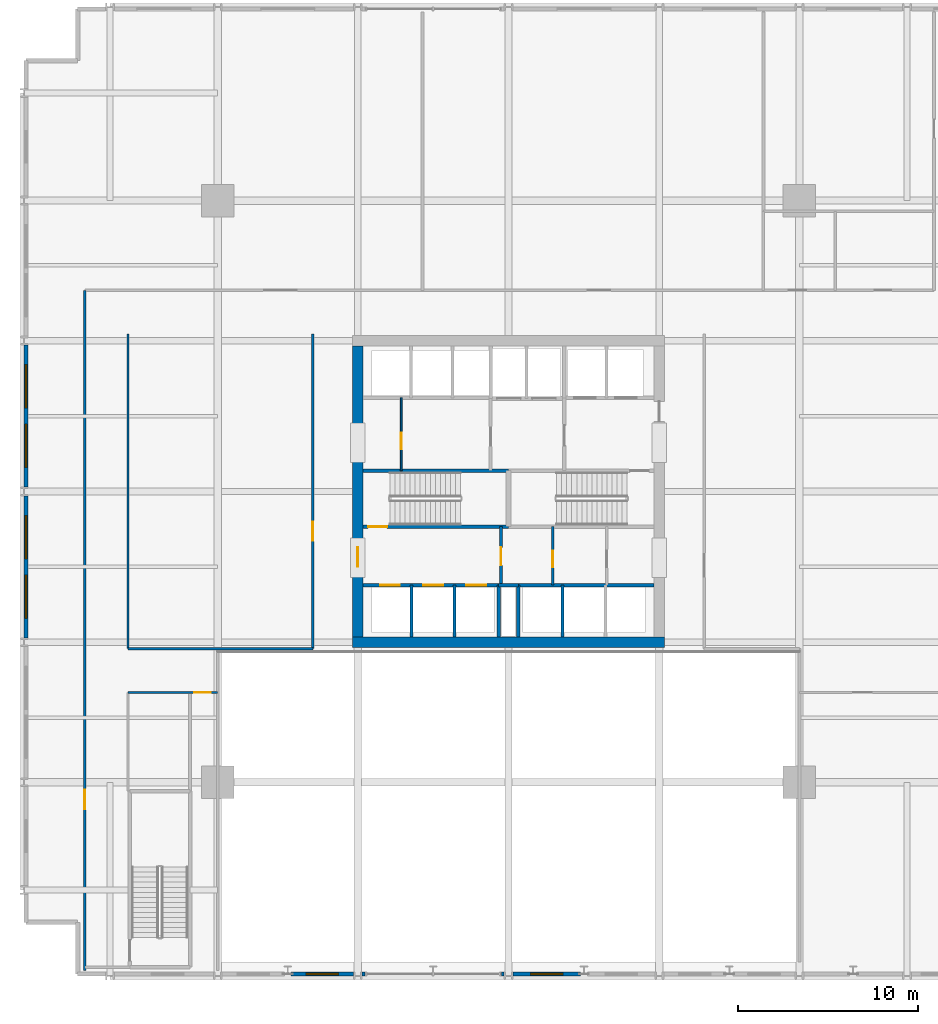
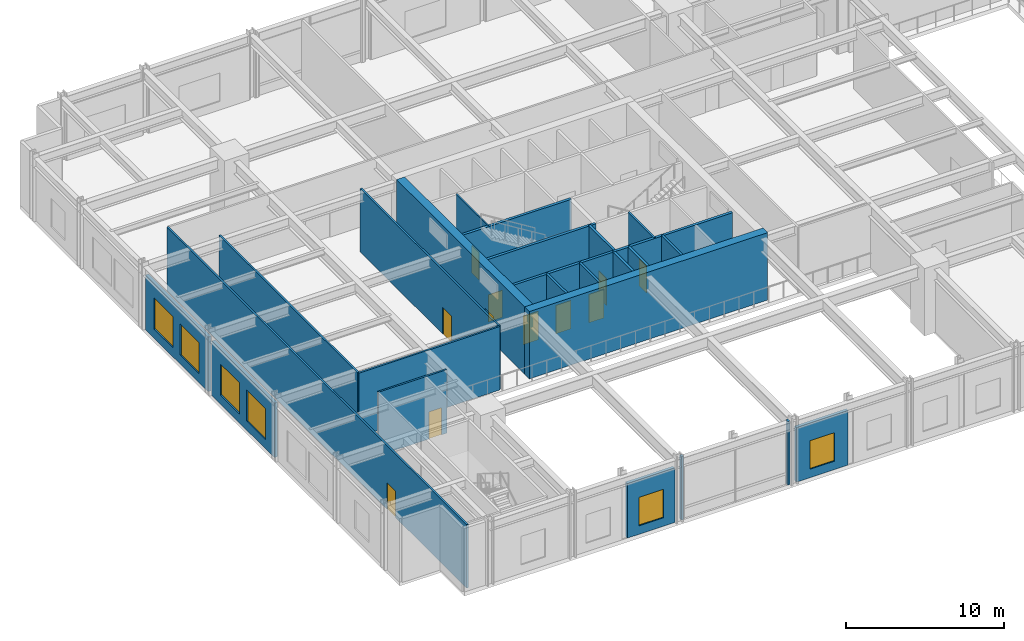
# One storey, part 11 of 19: 26 walls, 11 doors, 6 windows, 17 openings.
"""IFC4 building model written with IfcOpenShell, lengths in metres."""

import ifcopenshell
import ifcopenshell.guid

model = None  # the IFC model being written
_history = None  # IfcOwnerHistory: only IFC2X3 demands one
_inside = {}  # id of a spatial element -> (the spatial element, [elements in it])
_under = {}  # id of a project, library or spatial element -> (it, [spatial elements below it])
_declared = {}  # id of a project -> (the project, [libraries it declares])
_typed = {}  # id of a type object -> (the type object, [elements of that type])
_made_of = {}  # id of a material, layer set ... -> (it, [elements and type objects made of it])


def new_model(schema):
    """Start an empty IFC model of exactly this schema.

    Asked for "IFC4X3", IfcOpenShell would pick the latest addendum, in which some entities
    have other attributes; the version numbers below select the first issue.
    IFC2X3 requires an IfcOwnerHistory on every rooted entity: one is made here for all.
    """
    global model, _history
    if schema == "IFC4X3":
        model = ifcopenshell.file(schema_version=(4, 3, 0, 0))
    else:
        model = ifcopenshell.file(schema=schema)
    _inside.clear()
    _under.clear()
    _declared.clear()
    _typed.clear()
    _made_of.clear()
    _history = None
    if model.schema == "IFC2X3":
        org = make("IfcOrganization", Name="unknown")
        user = make(
            "IfcPersonAndOrganization",
            ThePerson=make("IfcPerson", FamilyName="unknown"),
            TheOrganization=org,
        )
        app = make(
            "IfcApplication",
            ApplicationDeveloper=org,
            Version="unknown",
            ApplicationFullName="unknown",
            ApplicationIdentifier="unknown",
        )
        _history = make(
            "IfcOwnerHistory",
            OwningUser=user,
            OwningApplication=app,
            ChangeAction="ADDED",
            CreationDate=0,
        )
    return model


def make(cls, **values):
    """One entity of the class cls with the attributes given. An attribute that is None is left unset."""
    return model.create_entity(
        cls, **{name: value for name, value in values.items() if value is not None}
    )


def rooted(cls, **values):
    """An entity with a GlobalId (a new one), such as an element, a storey or a relation."""
    return make(cls, GlobalId=ifcopenshell.guid.new(), OwnerHistory=_history, **values)


def si_unit(unit_type, name, prefix=None):
    """IfcSIUnit, for example si_unit("LENGTHUNIT", "METRE", prefix="MILLI")."""
    return make("IfcSIUnit", UnitType=unit_type, Prefix=prefix, Name=name)


def assignment(units):
    """IfcUnitAssignment: the units of a project."""
    return None if units is None else make("IfcUnitAssignment", Units=units)


def point(xyz):
    """IfcCartesianPoint."""
    return None if xyz is None else make("IfcCartesianPoint", Coordinates=xyz)


def direction(xyz):
    """IfcDirection."""
    return None if xyz is None else make("IfcDirection", DirectionRatios=xyz)


def frame(location, z_axis=None, x_axis=None):
    """IfcAxis2Placement3D, a coordinate frame: its origin and axes. An axis left out is left unset."""
    return make(
        "IfcAxis2Placement3D",
        Location=point(location),
        Axis=direction(z_axis),
        RefDirection=direction(x_axis),
    )


def frame_2d(location, x_axis=None):
    """IfcAxis2Placement2D, a coordinate frame in the plane: its origin and x axis."""
    return make(
        "IfcAxis2Placement2D", Location=point(location), RefDirection=direction(x_axis)
    )


def origin():
    """The frame at (0, 0, 0) with its axes left unset."""
    return frame((0.0, 0.0, 0.0))


def place(relative_to, where):
    """IfcLocalPlacement: puts the frame where relative to a parent placement (None: the world)."""
    return make(
        "IfcLocalPlacement", PlacementRelTo=relative_to, RelativePlacement=where
    )


def context(
    kind, dimensions, precision=None, world=None, true_north=None, identifier=None
):
    """IfcGeometricRepresentationContext, for example the 3D "Model" context."""
    return make(
        "IfcGeometricRepresentationContext",
        ContextIdentifier=identifier,
        ContextType=kind,
        CoordinateSpaceDimension=dimensions,
        Precision=precision,
        WorldCoordinateSystem=world,
        TrueNorth=true_north,
    )


def subcontext(parent, identifier, kind, view, scale=None):
    """IfcGeometricRepresentationSubContext, for example "Body" below "Model"."""
    return make(
        "IfcGeometricRepresentationSubContext",
        ContextIdentifier=identifier,
        ContextType=kind,
        ParentContext=parent,
        TargetScale=scale,
        TargetView=view,
    )


def project(units=None, contexts=None):
    """IfcProject with its units and contexts."""
    return rooted(
        "IfcProject",
        Name="project",
        RepresentationContexts=contexts,
        UnitsInContext=assignment(units),
    )


def spatial(cls, under=None, at=None, **own):
    """A site, building, storey or space (cls), placed at a placement, below another one or the project."""
    s = rooted(cls, ObjectPlacement=at, **own)
    if under is not None:
        _under.setdefault(under.id(), (under, []))[1].append(s)
    return s


def profile(cls, at=None, kind="AREA", **sizes):
    """A parametric profile (cls). Its sizes go by their IFC names, for example OverallWidth=200.0."""
    return make(cls, ProfileType=kind, Position=at, **sizes)


def rectangle(**sizes):
    """IfcRectangleProfileDef."""
    return profile("IfcRectangleProfileDef", **sizes)


def extrude(swept, where, along, depth):
    """IfcExtrudedAreaSolid: the profile swept, set in the frame where, extruded along a direction by depth."""
    return make(
        "IfcExtrudedAreaSolid",
        SweptArea=swept,
        Position=where,
        ExtrudedDirection=direction(along),
        Depth=depth,
    )


def shape(context_of_items, identifier, shape_type, items):
    """IfcShapeRepresentation: the items that make up one representation, for example the "Body"."""
    return make(
        "IfcShapeRepresentation",
        ContextOfItems=context_of_items,
        RepresentationIdentifier=identifier,
        RepresentationType=shape_type,
        Items=items,
    )


def material(Name=None, Category=None):
    """IfcMaterial."""
    return make("IfcMaterial", Name=Name, Category=Category)


def layer(
    of_material, thickness, ventilated=None, Name=None, Category=None, Priority=None
):
    """IfcMaterialLayer: one layer of a wall or slab, of a material (None: an air gap)."""
    return make(
        "IfcMaterialLayer",
        Material=of_material,
        LayerThickness=thickness,
        IsVentilated=ventilated,
        Name=Name,
        Category=Category,
        Priority=Priority,
    )


def layer_set(layers, Name=None):
    """IfcMaterialLayerSet."""
    return make("IfcMaterialLayerSet", MaterialLayers=layers, LayerSetName=Name)


def made_of(thing, what):
    """Note that an element or type object is made of a material, layer set ...; save() writes the relation."""
    if what is not None:
        _made_of.setdefault(what.id(), (what, []))[1].append(thing)
    return thing


def type_object(cls, material=None, **own):
    """A type object (cls), such as IfcWallType, which elements share."""
    return made_of(rooted(cls, **own), material)


def element(
    cls,
    number,
    at=None,
    inside=None,
    cuts=None,
    type_object=None,
    material=None,
    context=None,
    identifier="Body",
    shape_type=None,
    held_by="IfcProductDefinitionShape",
    body=None,
    shapes=None,
    **own,
):
    """One element of the class cls, such as IfcWall. Its Tag is "e" and its number.

    at: its placement. inside: the storey or other place that contains it. cuts: it is an
    opening in that element (IfcRelVoidsElement). A single representation is given by context,
    identifier, shape_type and body (its items); several are given by shapes. held_by: the class
    of the entity that holds the representations. save() writes the other relations.
    """
    e = rooted(cls, Tag="e%d" % number, ObjectPlacement=at, **own)
    if body is not None:
        shapes = [shape(context, identifier, shape_type, body)]
    if shapes is not None:
        e.Representation = make(held_by, Representations=shapes)
    if inside is not None:
        _inside.setdefault(inside.id(), (inside, []))[1].append(e)
    if cuts is not None:
        rooted(
            "IfcRelVoidsElement", RelatingBuildingElement=cuts, RelatedOpeningElement=e
        )
    if type_object is not None:
        _typed.setdefault(type_object.id(), (type_object, []))[1].append(e)
    return made_of(e, material)


def fill(opening, filler):
    """IfcRelFillsElement: the door or window that sits in an opening."""
    return rooted(
        "IfcRelFillsElement",
        RelatingOpeningElement=opening,
        RelatedBuildingElement=filler,
    )


def aggregate(whole, parts):
    """IfcRelAggregates: a whole, such as a stair, and the parts it consists of."""
    return rooted("IfcRelAggregates", RelatingObject=whole, RelatedObjects=parts)


def save(model, path):
    """Write the relations noted so far, then the file.

    IfcRelAggregates (storeys below a building ...), IfcRelContainedInSpatialStructure (elements
    in a storey), IfcRelDefinesByType, IfcRelAssociatesMaterial and IfcRelDeclares: one each for
    every whole, place, type object, material and project.
    """
    for whole, parts in _under.values():
        aggregate(whole, parts)
    for where, things in _inside.values():
        rooted(
            "IfcRelContainedInSpatialStructure",
            RelatedElements=things,
            RelatingStructure=where,
        )
    for kind, things in _typed.values():
        rooted("IfcRelDefinesByType", RelatedObjects=things, RelatingType=kind)
    for what, things in _made_of.values():
        rooted("IfcRelAssociatesMaterial", RelatedObjects=things, RelatingMaterial=what)
    for by, libraries in _declared.values():
        rooted("IfcRelDeclares", RelatingContext=by, RelatedDefinitions=libraries)
    model.write(path)


model = new_model("IFC4")

# Units and contexts
model_context = context("Model", 3, precision=1e-05, world=origin(), true_north=direction((0.0, 1.0)))
body_context = subcontext(model_context, "Body", "Model", "MODEL_VIEW")
ifc_project = project(units=[si_unit("LENGTHUNIT", "METRE"), si_unit("AREAUNIT", "SQUARE_METRE"), si_unit("VOLUMEUNIT", "CUBIC_METRE"), si_unit("PLANEANGLEUNIT", "RADIAN"), si_unit("MASSUNIT", "GRAM", prefix="KILO")], contexts=[model_context])

# Site, building, storey
site_placement = place(None, origin())
site = spatial("IfcSite", under=ifc_project, at=site_placement, CompositionType="ELEMENT")
building_placement = place(site_placement, origin())
building = spatial("IfcBuilding", under=site, at=building_placement, Name="Drelvath Grand Hotel", CompositionType="ELEMENT")
storey_placement = place(building_placement, frame((0.0, 0.0, 17.199951171875)))
storey = spatial("IfcBuildingStorey", under=building, at=storey_placement, Name="L03", CompositionType="ELEMENT", Elevation=17.199951171875)

# Wall, opening, door
ifc_material_1 = material(Name="Gypsum Partition Board")
ifc_layer_1 = layer(ifc_material_1, 0.10009765625)
ifc_layer_set_1 = layer_set([ifc_layer_1], Name="Gypsum Partition Board")
wall_type_1 = type_object("IfcWallType", Name="Core Closet Partition 100", PredefinedType="PARTITIONING", material=ifc_layer_set_1)
wall_1_placement = place(storey_placement, frame((-5.97998046875, 28.159912109375, 0.0), z_axis=(0.0, 0.0, 1.0), x_axis=(0.0, 1.0, 0.0)))
wall_1 = element("IfcWall", 1, at=wall_1_placement, inside=storey, type_object=wall_type_1, Name="L03 Core Closet Divider 2", PredefinedType="PARTITIONING", context=body_context, shape_type="SweptSolid", body=[
    extrude(rectangle(XDim=4.06005859375, YDim=0.10009765625, at=frame_2d((2.030029296875, 0.0))), origin(), (0.0, 0.0, 1.0), 4.900146484375),
])
opening_1_placement = place(wall_1_placement, frame((1.199951171875, 0.0, 0.0)))
opening_1 = element("IfcOpeningElement", 2, at=opening_1_placement, cuts=wall_1, Name="Opening D-L03-010", PredefinedType="OPENING", context=body_context, shape_type="SweptSolid", body=[
    extrude(rectangle(XDim=0.919921875, YDim=2.10009765625, at=frame_2d((0.4599609375, 1.050048828125))), frame((0.0, 0.06005859375, 0.0), z_axis=(0.0, -1.0, 0.0), x_axis=(1.0, 0.0, 0.0)), (0.0, 0.0, 1.0), 0.1201171875),
])
ifc_material_2 = material(Name="Painted Steel S275", Category="steel")
door_type_1 = type_object("IfcDoorType", Name="Staff Utility Door 920x2100", OperationType="NOTDEFINED", PredefinedType="DOOR", material=ifc_material_2)
door_1_placement = place(opening_1_placement, origin())
door_1 = element("IfcDoor", 3, at=door_1_placement, inside=storey, type_object=door_type_1, Name="L03 Low-Voltage Closet Door", OperationType="SINGLE_SWING_RIGHT", OverallHeight=2.10009765625, OverallWidth=0.919921875, PredefinedType="DOOR", context=body_context, shape_type="SweptSolid", body=[
    extrude(rectangle(XDim=0.919921875, YDim=2.10009765625, at=frame_2d((0.4599609375, 1.050048828125))), frame((0.0, 0.02490234375, 0.0), z_axis=(0.0, -1.0, 0.0), x_axis=(1.0, 0.0, 0.0)), (0.0, 0.0, 1.0), 0.050048828125),
])
fill(opening_1, door_1)

# Wall, openings, doors
ifc_material_3 = material(Name="Concrete C40/50", Category="concrete")
ifc_layer_2 = layer(ifc_material_3, 0.199951171875)
ifc_layer_set_2 = layer_set([ifc_layer_2], Name="Concrete C40/50")
wall_type_2 = type_object("IfcWallType", Name="Core Hoistway Fire Wall 200", PredefinedType="SOLIDWALL", material=ifc_layer_set_2)
wall_2_placement = place(storey_placement, frame((-0.550048828125, 21.780029296875, 0.0), z_axis=(0.0, 0.0, 1.0), x_axis=(-1.0, 0.0, 0.0)))
wall_2 = element("IfcWall", 4, at=wall_2_placement, inside=storey, type_object=wall_type_2, Name="L03 Bank 1 Hoistway Wall", PredefinedType="SOLIDWALL", context=body_context, shape_type="SweptSolid", body=[
    extrude(rectangle(XDim=7.550048828125, YDim=0.199951171875, at=frame_2d((3.77490234375, 0.0))), origin(), (0.0, 0.0, 1.0), 4.900146484375),
])
opening_2_placement = place(wall_2_placement, frame((5.5, 0.0, 0.0)))
opening_2 = element("IfcOpeningElement", 5, at=opening_2_placement, cuts=wall_2, Name="Opening LD-PE-1", PredefinedType="OPENING", context=body_context, shape_type="SweptSolid", body=[
    extrude(rectangle(XDim=1.10009765625, YDim=2.199951171875, at=frame_2d((0.550048828125, 1.10009765625))), frame((0.0, 0.10986328125, 0.0), z_axis=(0.0, -1.0, 0.0), x_axis=(1.0, 0.0, 0.0)), (0.0, 0.0, 1.0), 0.219970703125),
])
opening_3_placement = place(wall_2_placement, frame((3.10009765625, 0.0, 0.0)))
opening_3 = element("IfcOpeningElement", 6, at=opening_3_placement, cuts=wall_2, Name="Opening LD-PE-2", PredefinedType="OPENING", context=body_context, shape_type="SweptSolid", body=[
    extrude(rectangle(XDim=1.10009765625, YDim=2.199951171875, at=frame_2d((0.550048828125, 1.10009765625))), frame((0.0, 0.10986328125, 0.0), z_axis=(0.0, -1.0, 0.0), x_axis=(1.0, 0.0, 0.0)), (0.0, 0.0, 1.0), 0.219970703125),
])
opening_4_placement = place(wall_2_placement, frame((0.699951171875, 0.0, 0.0)))
opening_4 = element("IfcOpeningElement", 7, at=opening_4_placement, cuts=wall_2, Name="Opening LD-PE-3", PredefinedType="OPENING", context=body_context, shape_type="SweptSolid", body=[
    extrude(rectangle(XDim=1.10009765625, YDim=2.199951171875, at=frame_2d((0.550048828125, 1.10009765625))), frame((0.0, 0.10986328125, 0.0), z_axis=(0.0, -1.0, 0.0), x_axis=(1.0, 0.0, 0.0)), (0.0, 0.0, 1.0), 0.219970703125),
])
ifc_material_4 = material(Name="Stainless Steel S355", Category="steel")
door_type_2 = type_object("IfcDoorType", Name="Passenger Lift Sliding Landing Door 1100x2200", OperationType="NOTDEFINED", PredefinedType="DOOR", material=ifc_material_4)
door_2_placement = place(opening_2_placement, origin())
door_2 = element("IfcDoor", 8, at=door_2_placement, inside=storey, type_object=door_type_2, Name="L03 Lift PE-1 Landing Door", OperationType="SLIDING_TO_LEFT", OverallHeight=2.199951171875, OverallWidth=1.10009765625, PredefinedType="DOOR", context=body_context, shape_type="SweptSolid", body=[
    extrude(rectangle(XDim=1.10009765625, YDim=2.199951171875, at=frame_2d((0.550048828125, 1.10009765625))), frame((0.0, 0.02490234375, 0.0), z_axis=(0.0, -1.0, 0.0), x_axis=(1.0, 0.0, 0.0)), (0.0, 0.0, 1.0), 0.050048828125),
])
fill(opening_2, door_2)
door_3_placement = place(opening_3_placement, origin())
door_3 = element("IfcDoor", 9, at=door_3_placement, inside=storey, type_object=door_type_2, Name="L03 Lift PE-2 Landing Door", OperationType="SLIDING_TO_LEFT", OverallHeight=2.199951171875, OverallWidth=1.10009765625, PredefinedType="DOOR", context=body_context, shape_type="SweptSolid", body=[
    extrude(rectangle(XDim=1.10009765625, YDim=2.199951171875, at=frame_2d((0.550048828125, 1.10009765625))), frame((0.0, 0.02490234375, 0.0), z_axis=(0.0, -1.0, 0.0), x_axis=(1.0, 0.0, 0.0)), (0.0, 0.0, 1.0), 0.050048828125),
])
fill(opening_3, door_3)
door_4_placement = place(opening_4_placement, origin())
door_4 = element("IfcDoor", 10, at=door_4_placement, inside=storey, type_object=door_type_2, Name="L03 Lift PE-3 Landing Door", OperationType="SLIDING_TO_LEFT", OverallHeight=2.199951171875, OverallWidth=1.10009765625, PredefinedType="DOOR", context=body_context, shape_type="SweptSolid", body=[
    extrude(rectangle(XDim=1.10009765625, YDim=2.199951171875, at=frame_2d((0.550048828125, 1.10009765625))), frame((0.0, 0.02490234375, 0.0), z_axis=(0.0, -1.0, 0.0), x_axis=(1.0, 0.0, 0.0)), (0.0, 0.0, 1.0), 0.050048828125),
])
fill(opening_4, door_4)

# Walls
wall_3_placement = place(storey_placement, frame((-0.550048828125, 18.89990234375, 0.0), z_axis=(0.0, 0.0, 1.0), x_axis=(0.0, 1.0, 0.0)))
element("IfcWall", 11, at=wall_3_placement, inside=storey, type_object=wall_type_2, Name="L03 Bank 1 East Wall", PredefinedType="SOLIDWALL", context=body_context, shape_type="SweptSolid", body=[
    extrude(rectangle(XDim=2.880126953125, YDim=0.199951171875, at=frame_2d((1.43994140625, 0.0))), origin(), (0.0, 0.0, 1.0), 4.900146484375),
])
wall_4_placement = place(storey_placement, frame((8.10009765625, 21.780029296875, 0.0), z_axis=(0.0, 0.0, 1.0), x_axis=(-1.0, 0.0, 0.0)))
element("IfcWall", 12, at=wall_4_placement, inside=storey, type_object=wall_type_2, Name="L03 Bank 2 Hoistway Wall", PredefinedType="SOLIDWALL", context=body_context, shape_type="SweptSolid", body=[
    extrude(rectangle(XDim=7.550048828125, YDim=0.199951171875, at=frame_2d((3.77490234375, 0.0))), origin(), (0.0, 0.0, 1.0), 4.900146484375),
])
wall_5_placement = place(storey_placement, frame((0.550048828125, 18.89990234375, 0.0), z_axis=(0.0, 0.0, 1.0), x_axis=(0.0, 1.0, 0.0)))
element("IfcWall", 13, at=wall_5_placement, inside=storey, type_object=wall_type_2, Name="L03 Bank 2 West Wall", PredefinedType="SOLIDWALL", context=body_context, shape_type="SweptSolid", body=[
    extrude(rectangle(XDim=2.880126953125, YDim=0.199951171875, at=frame_2d((1.43994140625, 0.0))), origin(), (0.0, 0.0, 1.0), 4.900146484375),
])
wall_6_placement = place(storey_placement, frame((-0.550048828125, 21.780029296875, 0.0), z_axis=(0.0, 0.0, 1.0), x_axis=(1.0, 0.0, 0.0)))
element("IfcWall", 14, at=wall_6_placement, inside=storey, type_object=wall_type_2, Name="L03 Core Riser Wall", PredefinedType="SOLIDWALL", context=body_context, shape_type="SweptSolid", body=[
    extrude(rectangle(XDim=1.10009765625, YDim=0.199951171875, at=frame_2d((0.550048828125, 0.0))), origin(), (0.0, 0.0, 1.0), 4.900146484375),
])

# Wall, opening, door
ifc_layer_3 = layer(ifc_material_3, 0.199951171875)
ifc_layer_set_3 = layer_set([ifc_layer_3], Name="Concrete C40/50")
wall_type_3 = type_object("IfcWallType", Name="Core Shaft Fire Wall 200", PredefinedType="SOLIDWALL", material=ifc_layer_set_3)
wall_7_placement = place(storey_placement, frame((-8.10009765625, 25.0400390625, 0.0), z_axis=(0.0, 0.0, 1.0), x_axis=(1.0, 0.0, 0.0)))
wall_7 = element("IfcWall", 15, at=wall_7_placement, inside=storey, type_object=wall_type_3, Name="L03 Stair ST-1 South Wall", PredefinedType="SOLIDWALL", context=body_context, shape_type="SweptSolid", body=[
    extrude(rectangle(XDim=8.10009765625, YDim=0.199951171875, at=frame_2d((4.050048828125, 0.0))), origin(), (0.0, 0.0, 1.0), 4.900146484375),
])
opening_5_placement = place(wall_7_placement, frame((0.280029296875, 0.0, 0.0)))
opening_5 = element("IfcOpeningElement", 16, at=opening_5_placement, cuts=wall_7, Name="Opening D-L03-001", PredefinedType="OPENING", context=body_context, shape_type="SweptSolid", body=[
    extrude(rectangle(XDim=1.050048828125, YDim=2.10009765625, at=frame_2d((0.52490234375, 1.050048828125))), frame((0.0, 0.10986328125, 0.0), z_axis=(0.0, -1.0, 0.0), x_axis=(1.0, 0.0, 0.0)), (0.0, 0.0, 1.0), 0.219970703125),
])
door_type_3 = type_object("IfcDoorType", Name="Tower Stairwell Fire Door 1050x2100", OperationType="NOTDEFINED", PredefinedType="DOOR", material=ifc_material_2)
door_5_placement = place(opening_5_placement, origin())
door_5 = element("IfcDoor", 17, at=door_5_placement, inside=storey, type_object=door_type_3, Name="L03 Exit Stair ST-1 Door", OperationType="SINGLE_SWING_LEFT", OverallHeight=2.10009765625, OverallWidth=1.050048828125, PredefinedType="DOOR", context=body_context, shape_type="SweptSolid", body=[
    extrude(rectangle(XDim=1.050048828125, YDim=2.10009765625, at=frame_2d((0.52490234375, 1.050048828125))), frame((0.0, 0.02490234375, 0.0), z_axis=(0.0, -1.0, 0.0), x_axis=(1.0, 0.0, 0.0)), (0.0, 0.0, 1.0), 0.050048828125),
])
fill(opening_5, door_5)

# Walls
wall_8_placement = place(storey_placement, frame((-8.10009765625, 28.159912109375, 0.0), z_axis=(0.0, 0.0, 1.0), x_axis=(1.0, 0.0, 0.0)))
element("IfcWall", 18, at=wall_8_placement, inside=storey, type_object=wall_type_3, Name="L03 Stair ST-1 North Wall", PredefinedType="SOLIDWALL", context=body_context, shape_type="SweptSolid", body=[
    extrude(rectangle(XDim=8.10009765625, YDim=0.199951171875, at=frame_2d((4.050048828125, 0.0))), origin(), (0.0, 0.0, 1.0), 4.900146484375),
])
ifc_material_5 = material(Name="Gypsum Fireboard Partition")
ifc_layer_4 = layer(ifc_material_5, 0.1650390625)
ifc_layer_set_4 = layer_set([ifc_layer_4], Name="Gypsum Fireboard Partition")
wall_type_4 = type_object("IfcWallType", Name="Core Shaft Partition 165", PredefinedType="PARTITIONING", material=ifc_layer_set_4)
for number, where, z_axis, x_axis, name in (
    (19, (-5.39990234375, 18.89990234375, 0.0), (0.0, 0.0, 1.0), (0.0, 1.0, 0.0), "L03 Lift PE-1/2 Divider"),
    (20, (-3.0, 18.89990234375, 0.0), (0.0, 0.0, 1.0), (0.0, 1.0, 0.0), "L03 Lift PE-2/3 Divider"),
    (21, (3.0, 18.89990234375, 0.0), (0.0, 0.0, 1.0), (0.0, 1.0, 0.0), "L03 Lift PE-4/5 Divider"),
):
    element("IfcWall", number, at=place(storey_placement, frame(where, z_axis=z_axis, x_axis=x_axis)), inside=storey, type_object=wall_type_4, Name=name, PredefinedType="PARTITIONING", context=body_context, shape_type="SweptSolid", body=[
        extrude(rectangle(XDim=2.880126953125, YDim=0.1650390625, at=frame_2d((1.43994140625, 0.0))), origin(), (0.0, 0.0, 1.0), 4.900146484375),
    ])

# Wall, opening, door
ifc_layer_5 = layer(ifc_material_5, 0.135009765625)
ifc_layer_set_5 = layer_set([ifc_layer_5], Name="Gypsum Fireboard Partition")
wall_type_5 = type_object("IfcWallType", Name="Corridor Fire Barrier Wall 135", PredefinedType="PARTITIONING", material=ifc_layer_set_5)
wall_9_placement = place(storey_placement, frame((-21.199951171875, 15.800048828125, 0.0), z_axis=(0.0, 0.0, 1.0), x_axis=(1.0, 0.0, 0.0)))
wall_9 = element("IfcWall", 22, at=wall_9_placement, inside=storey, type_object=wall_type_5, Name="L03 South-West Gallery Stub Wall", PredefinedType="PARTITIONING", context=body_context, shape_type="SweptSolid", body=[
    extrude(rectangle(XDim=5.0, YDim=0.135009765625, at=frame_2d((2.5, 0.0))), origin(), (0.0, 0.0, 1.0), 4.900146484375),
])
opening_6_placement = place(wall_9_placement, frame((3.699951171875, 0.0, 0.0)))
opening_6 = element("IfcOpeningElement", 23, at=opening_6_placement, cuts=wall_9, Name="Opening D-L03-025", PredefinedType="OPENING", context=body_context, shape_type="SweptSolid", body=[
    extrude(rectangle(XDim=0.919921875, YDim=2.10009765625, at=frame_2d((0.4599609375, 1.050048828125))), frame((0.0, 0.077392578125, 0.0), z_axis=(0.0, -1.0, 0.0), x_axis=(1.0, 0.0, 0.0)), (0.0, 0.0, 1.0), 0.155029296875),
])
door_6_placement = place(opening_6_placement, origin())
door_6 = element("IfcDoor", 24, at=door_6_placement, inside=storey, type_object=door_type_1, Name="L03 Banquet Linen Closet Door", OperationType="SINGLE_SWING_RIGHT", OverallHeight=2.10009765625, OverallWidth=0.919921875, PredefinedType="DOOR", context=body_context, shape_type="SweptSolid", body=[
    extrude(rectangle(XDim=0.919921875, YDim=2.10009765625, at=frame_2d((0.4599609375, 1.050048828125))), frame((0.0, 0.02490234375, 0.0), z_axis=(0.0, -1.0, 0.0), x_axis=(1.0, 0.0, 0.0)), (0.0, 0.0, 1.0), 0.050048828125),
])
fill(opening_6, door_6)

# Wall
wall_10_placement = place(storey_placement, frame((-21.199951171875, 18.239990234375, 0.0), z_axis=(0.0, 0.0, 1.0), x_axis=(1.0, 0.0, 0.0)))
element("IfcWall", 25, at=wall_10_placement, inside=storey, type_object=wall_type_5, Name="L03 South-West Gallery North Wall", PredefinedType="PARTITIONING", context=body_context, shape_type="SweptSolid", body=[
    extrude(rectangle(XDim=10.300048828125, YDim=0.135009765625, at=frame_2d((5.14990234375, 0.0))), origin(), (0.0, 0.0, 1.0), 4.900146484375),
])

# Wall, opening, door
wall_11_placement = place(storey_placement, frame((-10.89990234375, 18.239990234375, 0.0), z_axis=(0.0, 0.0, 1.0), x_axis=(0.0, 1.0, 0.0)))
wall_11 = element("IfcWall", 26, at=wall_11_placement, inside=storey, type_object=wall_type_5, Name="L03 West Gallery Wall", PredefinedType="PARTITIONING", context=body_context, shape_type="SweptSolid", body=[
    extrude(rectangle(XDim=17.52001953125, YDim=0.135009765625, at=frame_2d((8.760009765625, 0.0))), origin(), (0.0, 0.0, 1.0), 4.900146484375),
])
opening_7_placement = place(wall_11_placement, frame((6.0, 0.0, 0.0)))
opening_7 = element("IfcOpeningElement", 27, at=opening_7_placement, cuts=wall_11, Name="Opening D-L03-030", PredefinedType="OPENING", context=body_context, shape_type="SweptSolid", body=[
    extrude(rectangle(XDim=1.080078125, YDim=2.0400390625, at=frame_2d((0.5400390625, 1.02001953125))), frame((0.0, 0.077392578125, 0.0), z_axis=(0.0, -1.0, 0.0), x_axis=(1.0, 0.0, 0.0)), (0.0, 0.0, 1.0), 0.155029296875),
])
door_type_4 = type_object("IfcDoorType", Name="Core Corridor Fire Door 1080x2100", OperationType="NOTDEFINED", PredefinedType="DOOR", material=ifc_material_2)
door_7_placement = place(opening_7_placement, origin())
door_7 = element("IfcDoor", 28, at=door_7_placement, inside=storey, type_object=door_type_4, Name="L03 Center-West Room Door", OperationType="SINGLE_SWING_RIGHT", OverallHeight=2.0400390625, OverallWidth=1.080078125, PredefinedType="DOOR", context=body_context, shape_type="SweptSolid", body=[
    extrude(rectangle(XDim=1.080078125, YDim=2.0400390625, at=frame_2d((0.5400390625, 1.02001953125))), frame((0.0, 0.02490234375, 0.0), z_axis=(0.0, -1.0, 0.0), x_axis=(1.0, 0.0, 0.0)), (0.0, 0.0, 1.0), 0.050048828125),
])
fill(opening_7, door_7)

# Wall
wall_12_placement = place(storey_placement, frame((-21.199951171875, 18.239990234375, 0.0), z_axis=(0.0, 0.0, 1.0), x_axis=(0.0, 1.0, 0.0)))
element("IfcWall", 29, at=wall_12_placement, inside=storey, type_object=wall_type_5, Name="L03 ST-3 Spur North-East Wall", PredefinedType="PARTITIONING", context=body_context, shape_type="SweptSolid", body=[
    extrude(rectangle(XDim=17.52001953125, YDim=0.135009765625, at=frame_2d((8.760009765625, 0.0))), origin(), (0.0, 0.0, 1.0), 4.900146484375),
])

# Wall, opening, door
wall_13_placement = place(storey_placement, frame((-23.60009765625, 0.300048828125, 0.0), z_axis=(0.0, 0.0, 1.0), x_axis=(0.0, 1.0, 0.0)))
wall_13 = element("IfcWall", 30, at=wall_13_placement, inside=storey, type_object=wall_type_5, Name="L03 West Wing Corridor Wall", PredefinedType="PARTITIONING", context=body_context, shape_type="SweptSolid", body=[
    extrude(rectangle(XDim=37.89990234375, YDim=0.135009765625, at=frame_2d((18.949951171875, 0.0))), origin(), (0.0, 0.0, 1.0), 4.900146484375),
])
opening_8_placement = place(wall_13_placement, frame((9.0, 0.0, 0.0)))
opening_8 = element("IfcOpeningElement", 31, at=opening_8_placement, cuts=wall_13, Name="Opening D-L03-029", PredefinedType="OPENING", context=body_context, shape_type="SweptSolid", body=[
    extrude(rectangle(XDim=1.080078125, YDim=2.0400390625, at=frame_2d((0.5400390625, 1.02001953125))), frame((0.0, 0.077392578125, 0.0), z_axis=(0.0, -1.0, 0.0), x_axis=(1.0, 0.0, 0.0)), (0.0, 0.0, 1.0), 0.155029296875),
])
door_8_placement = place(opening_8_placement, origin())
door_8 = element("IfcDoor", 32, at=door_8_placement, inside=storey, type_object=door_type_4, Name="L03 West Wing South Door", OperationType="SINGLE_SWING_LEFT", OverallHeight=2.0400390625, OverallWidth=1.080078125, PredefinedType="DOOR", context=body_context, shape_type="SweptSolid", body=[
    extrude(rectangle(XDim=1.080078125, YDim=2.0400390625, at=frame_2d((0.5400390625, 1.02001953125))), frame((0.0, 0.02490234375, 0.0), z_axis=(0.0, -1.0, 0.0), x_axis=(1.0, 0.0, 0.0)), (0.0, 0.0, 1.0), 0.050048828125),
])
fill(opening_8, door_8)

ifc_material_6 = material(Name="Moisture-Resistant Gypsum Board")
ifc_layer_6 = layer(ifc_material_6, 0.139892578125)
ifc_layer_set_6 = layer_set([ifc_layer_6], Name="Moisture-Resistant Gypsum Board")
wall_type_6 = type_object("IfcWallType", Name="En-Suite Plumbing Wall 140", PredefinedType="PLUMBINGWALL", material=ifc_layer_set_6)
wall_14_placement = place(storey_placement, frame((2.4599609375, 21.780029296875, 0.0), z_axis=(0.0, 0.0, 1.0), x_axis=(0.0, 1.0, 0.0)))
wall_14 = element("IfcWall", 33, at=wall_14_placement, inside=storey, type_object=wall_type_6, Name="L03 Staff WC West Wall", PredefinedType="PLUMBINGWALL", context=body_context, shape_type="SweptSolid", body=[
    extrude(rectangle(XDim=3.260009765625, YDim=0.139892578125, at=frame_2d((1.6298828125, 0.0))), origin(), (0.0, 0.0, 1.0), 4.900146484375),
])
opening_9_placement = place(wall_14_placement, frame((1.0, 0.0, 0.0)))
opening_9 = element("IfcOpeningElement", 34, at=opening_9_placement, cuts=wall_14, Name="Opening D-L03-016", PredefinedType="OPENING", context=body_context, shape_type="SweptSolid", body=[
    extrude(rectangle(XDim=0.919921875, YDim=2.10009765625, at=frame_2d((0.4599609375, 1.050048828125))), frame((0.0, 0.079833984375, 0.0), z_axis=(0.0, -1.0, 0.0), x_axis=(1.0, 0.0, 0.0)), (0.0, 0.0, 1.0), 0.159912109375),
])
door_9_placement = place(opening_9_placement, origin())
door_9 = element("IfcDoor", 35, at=door_9_placement, inside=storey, type_object=door_type_1, Name="L03 Staff WC Door", OperationType="SINGLE_SWING_LEFT", OverallHeight=2.10009765625, OverallWidth=0.919921875, PredefinedType="DOOR", context=body_context, shape_type="SweptSolid", body=[
    extrude(rectangle(XDim=0.919921875, YDim=2.10009765625, at=frame_2d((0.4599609375, 1.050048828125))), frame((0.0, 0.02490234375, 0.0), z_axis=(0.0, -1.0, 0.0), x_axis=(1.0, 0.0, 0.0)), (0.0, 0.0, 1.0), 0.050048828125),
])
fill(opening_9, door_9)

ifc_layer_7 = layer(ifc_material_5, 0.179931640625)
ifc_layer_set_7 = layer_set([ifc_layer_7], Name="Gypsum Fireboard Partition")
wall_type_7 = type_object("IfcWallType", Name="FSAE Smoke Lobby Fire Wall 180", PredefinedType="SOLIDWALL", material=ifc_layer_set_7)
wall_15_placement = place(storey_placement, frame((-0.419921875, 21.780029296875, 0.0), z_axis=(0.0, 0.0, 1.0), x_axis=(0.0, 1.0, 0.0)))
wall_15 = element("IfcWall", 36, at=wall_15_placement, inside=storey, type_object=wall_type_7, Name="L03 Low-Rise Lobby East Wall", PredefinedType="SOLIDWALL", context=body_context, shape_type="SweptSolid", body=[
    extrude(rectangle(XDim=3.260009765625, YDim=0.179931640625, at=frame_2d((1.6298828125, 0.0))), origin(), (0.0, 0.0, 1.0), 4.900146484375),
])
opening_10_placement = place(wall_15_placement, frame((1.10009765625, 0.0, 0.0)))
opening_10 = element("IfcOpeningElement", 37, at=opening_10_placement, cuts=wall_15, Name="Opening D-L03-014", PredefinedType="OPENING", context=body_context, shape_type="SweptSolid", body=[
    extrude(rectangle(XDim=1.0, YDim=2.10009765625, at=frame_2d((0.5, 1.050048828125))), frame((0.0, 0.099853515625, 0.0), z_axis=(0.0, -1.0, 0.0), x_axis=(1.0, 0.0, 0.0)), (0.0, 0.0, 1.0), 0.199951171875),
])
door_type_5 = type_object("IfcDoorType", Name="Core Service Fire Door 1000x2100", OperationType="NOTDEFINED", PredefinedType="DOOR", material=ifc_material_2)
door_10_placement = place(opening_10_placement, origin())
door_10 = element("IfcDoor", 38, at=door_10_placement, inside=storey, type_object=door_type_5, Name="L03 Housekeeping Entry Door", OperationType="SINGLE_SWING_LEFT", OverallHeight=2.10009765625, OverallWidth=1.0, PredefinedType="DOOR", context=body_context, shape_type="SweptSolid", body=[
    extrude(rectangle(XDim=1.0, YDim=2.10009765625, at=frame_2d((0.5, 1.050048828125))), frame((0.0, 0.02490234375, 0.0), z_axis=(0.0, -1.0, 0.0), x_axis=(1.0, 0.0, 0.0)), (0.0, 0.0, 1.0), 0.050048828125),
])
fill(opening_10, door_10)

# Wall
ifc_material_7 = material(Name="Concrete f'c 70 MPa", Category="concrete")
ifc_layer_8 = layer(ifc_material_7, 0.60009765625)
ifc_layer_set_8 = layer_set([ifc_layer_8], Name="Concrete f'c 70 MPa")
wall_type_8 = type_object("IfcWallType", Name="Lower Core RC Shear Wall 600", PredefinedType="SHEAR", material=ifc_layer_set_8)
wall_16_placement = place(storey_placement, frame((8.699951171875, 18.60009765625, 0.0), z_axis=(0.0, 0.0, 1.0), x_axis=(-1.0, 0.0, 0.0)))
element("IfcWall", 39, at=wall_16_placement, inside=storey, type_object=wall_type_8, Name="L03 Central Core Shear Wall S", PredefinedType="SHEAR", context=body_context, shape_type="SweptSolid", body=[
    extrude(rectangle(XDim=17.39990234375, YDim=0.60009765625, at=frame_2d((8.699951171875, 0.0))), origin(), (0.0, 0.0, 1.0), 5.199951171875),
])

# Wall, opening, door
wall_17_placement = place(storey_placement, frame((-8.39990234375, 18.89990234375, 0.0), z_axis=(0.0, 0.0, 1.0), x_axis=(0.0, 1.0, 0.0)))
wall_17 = element("IfcWall", 40, at=wall_17_placement, inside=storey, type_object=wall_type_8, Name="L03 Central Core Shear Wall W", PredefinedType="SHEAR", context=body_context, shape_type="SweptSolid", body=[
    extrude(rectangle(XDim=16.2001953125, YDim=0.60009765625, at=frame_2d((8.10009765625, 0.0))), origin(), (0.0, 0.0, 1.0), 5.199951171875),
])
opening_11_placement = place(wall_17_placement, frame((3.89990234375, 0.0, 0.0)))
opening_11 = element("IfcOpeningElement", 41, at=opening_11_placement, cuts=wall_17, Name="Opening D-L03-015", PredefinedType="OPENING", context=body_context, shape_type="SweptSolid", body=[
    extrude(rectangle(XDim=1.080078125, YDim=2.0400390625, at=frame_2d((0.5400390625, 1.02001953125))), frame((0.0, 0.31005859375, 0.0), z_axis=(0.0, -1.0, 0.0), x_axis=(1.0, 0.0, 0.0)), (0.0, 0.0, 1.0), 0.6201171875),
])
door_11_placement = place(opening_11_placement, origin())
door_11 = element("IfcDoor", 42, at=door_11_placement, inside=storey, type_object=door_type_4, Name="L03 Low-Rise Lobby West Door", OperationType="SINGLE_SWING_RIGHT", OverallHeight=2.0400390625, OverallWidth=1.080078125, PredefinedType="DOOR", context=body_context, shape_type="SweptSolid", body=[
    extrude(rectangle(XDim=1.080078125, YDim=2.0400390625, at=frame_2d((0.5400390625, 1.02001953125))), frame((0.0, 0.02490234375, 0.0), z_axis=(0.0, -1.0, 0.0), x_axis=(1.0, 0.0, 0.0)), (0.0, 0.0, 1.0), 0.050048828125),
])
fill(opening_11, door_11)

# Wall, openings, windows
ifc_material_8 = material(Name="Insulated Granite Rainscreen Assembly", Category="masonry")
ifc_layer_9 = layer(ifc_material_8, 0.239990234375)
ifc_layer_set_9 = layer_set([ifc_layer_9], Name="Insulated Granite Rainscreen Assembly")
wall_type_9 = type_object("IfcWallType", Name="Podium Granite Rainscreen Exterior Wall 240", PredefinedType="STANDARD", material=ifc_layer_set_9)
wall_18_placement = place(storey_placement, frame((-26.8798828125, 18.8408203125, 0.0), z_axis=(0.0, 0.0, 1.0), x_axis=(0.0, 1.0, 0.0)))
wall_18 = element("IfcWall", 43, at=wall_18_placement, inside=storey, type_object=wall_type_9, Name="L03 West Podium Granite Wall 4", PredefinedType="STANDARD", context=body_context, shape_type="SweptSolid", body=[
    extrude(rectangle(XDim=7.918212890625, YDim=0.239990234375, at=frame_2d((3.958984375, 0.0))), origin(), (0.0, 0.0, 1.0), 4.20458984375),
])
opening_12_placement = place(wall_18_placement, frame((1.10009765625, 0.0, 0.699951171875)))
opening_12 = element("IfcOpeningElement", 44, at=opening_12_placement, cuts=wall_18, Name="Opening W-01", PredefinedType="OPENING", context=body_context, shape_type="SweptSolid", body=[
    extrude(rectangle(XDim=2.39990234375, YDim=2.39990234375, at=frame_2d((1.199951171875, 1.199951171875))), frame((0.0, 0.1298828125, 0.0), z_axis=(0.0, -1.0, 0.0), x_axis=(1.0, 0.0, 0.0)), (0.0, 0.0, 1.0), 0.260009765625),
])
opening_13_placement = place(wall_18_placement, frame((4.418212890625, 0.0, 0.699951171875)))
opening_13 = element("IfcOpeningElement", 45, at=opening_13_placement, cuts=wall_18, Name="Opening W-01", PredefinedType="OPENING", context=body_context, shape_type="SweptSolid", body=[
    extrude(rectangle(XDim=2.39990234375, YDim=2.39990234375, at=frame_2d((1.199951171875, 1.199951171875))), frame((0.0, 0.1298828125, 0.0), z_axis=(0.0, -1.0, 0.0), x_axis=(1.0, 0.0, 0.0)), (0.0, 0.0, 1.0), 0.260009765625),
])
ifc_material_9 = material(Name="Bronze Anodised Low-E Triple Glazing", Category="glass")
window_type_1 = type_object("IfcWindowType", Name="Chicago Triple-Pane Podium Window 2400x2600", PartitioningType="TRIPLE_PANEL_VERTICAL", PredefinedType="WINDOW", material=ifc_material_9)
window_1_placement = place(opening_12_placement, origin())
window_1 = element("IfcWindow", 46, at=window_1_placement, inside=storey, type_object=window_type_1, Name="L03 West Podium Window 4-1", OverallHeight=2.39990234375, OverallWidth=2.39990234375, PartitioningType="SINGLE_PANEL", PredefinedType="WINDOW", context=body_context, shape_type="SweptSolid", body=[
    extrude(rectangle(XDim=2.39990234375, YDim=2.39990234375, at=frame_2d((1.199951171875, 1.199951171875))), frame((0.0, 0.030029296875, 0.0), z_axis=(0.0, -1.0, 0.0), x_axis=(1.0, 0.0, 0.0)), (0.0, 0.0, 1.0), 0.06005859375),
])
fill(opening_12, window_1)
window_2_placement = place(opening_13_placement, origin())
window_2 = element("IfcWindow", 47, at=window_2_placement, inside=storey, type_object=window_type_1, Name="L03 West Podium Window 4-2", OverallHeight=2.39990234375, OverallWidth=2.39990234375, PartitioningType="SINGLE_PANEL", PredefinedType="WINDOW", context=body_context, shape_type="SweptSolid", body=[
    extrude(rectangle(XDim=2.39990234375, YDim=2.39990234375, at=frame_2d((1.199951171875, 1.199951171875))), frame((0.0, 0.030029296875, 0.0), z_axis=(0.0, -1.0, 0.0), x_axis=(1.0, 0.0, 0.0)), (0.0, 0.0, 1.0), 0.06005859375),
])
fill(opening_13, window_2)

wall_19_placement = place(storey_placement, frame((-26.8798828125, 27.240966796875, 0.0), z_axis=(0.0, 0.0, 1.0), x_axis=(0.0, 1.0, 0.0)))
wall_19 = element("IfcWall", 48, at=wall_19_placement, inside=storey, type_object=wall_type_9, Name="L03 West Podium Granite Wall 5", PredefinedType="STANDARD", context=body_context, shape_type="SweptSolid", body=[
    extrude(rectangle(XDim=7.918212890625, YDim=0.239990234375, at=frame_2d((3.958984375, 0.0))), origin(), (0.0, 0.0, 1.0), 4.20458984375),
])
opening_14_placement = place(wall_19_placement, frame((1.10009765625, 0.0, 0.699951171875)))
opening_14 = element("IfcOpeningElement", 49, at=opening_14_placement, cuts=wall_19, Name="Opening W-01", PredefinedType="OPENING", context=body_context, shape_type="SweptSolid", body=[
    extrude(rectangle(XDim=2.39990234375, YDim=2.39990234375, at=frame_2d((1.199951171875, 1.199951171875))), frame((0.0, 0.1298828125, 0.0), z_axis=(0.0, -1.0, 0.0), x_axis=(1.0, 0.0, 0.0)), (0.0, 0.0, 1.0), 0.260009765625),
])
opening_15_placement = place(wall_19_placement, frame((4.418212890625, 0.0, 0.699951171875)))
opening_15 = element("IfcOpeningElement", 50, at=opening_15_placement, cuts=wall_19, Name="Opening W-01", PredefinedType="OPENING", context=body_context, shape_type="SweptSolid", body=[
    extrude(rectangle(XDim=2.39990234375, YDim=2.39990234375, at=frame_2d((1.199951171875, 1.199951171875))), frame((0.0, 0.1298828125, 0.0), z_axis=(0.0, -1.0, 0.0), x_axis=(1.0, 0.0, 0.0)), (0.0, 0.0, 1.0), 0.260009765625),
])
window_3_placement = place(opening_14_placement, origin())
window_3 = element("IfcWindow", 51, at=window_3_placement, inside=storey, type_object=window_type_1, Name="L03 West Podium Window 5-1", OverallHeight=2.39990234375, OverallWidth=2.39990234375, PartitioningType="SINGLE_PANEL", PredefinedType="WINDOW", context=body_context, shape_type="SweptSolid", body=[
    extrude(rectangle(XDim=2.39990234375, YDim=2.39990234375, at=frame_2d((1.199951171875, 1.199951171875))), frame((0.0, 0.030029296875, 0.0), z_axis=(0.0, -1.0, 0.0), x_axis=(1.0, 0.0, 0.0)), (0.0, 0.0, 1.0), 0.06005859375),
])
fill(opening_14, window_3)
window_4_placement = place(opening_15_placement, origin())
window_4 = element("IfcWindow", 52, at=window_4_placement, inside=storey, type_object=window_type_1, Name="L03 West Podium Window 5-2", OverallHeight=2.39990234375, OverallWidth=2.39990234375, PartitioningType="SINGLE_PANEL", PredefinedType="WINDOW", context=body_context, shape_type="SweptSolid", body=[
    extrude(rectangle(XDim=2.39990234375, YDim=2.39990234375, at=frame_2d((1.199951171875, 1.199951171875))), frame((0.0, 0.030029296875, 0.0), z_axis=(0.0, -1.0, 0.0), x_axis=(1.0, 0.0, 0.0)), (0.0, 0.0, 1.0), 0.06005859375),
])
fill(opening_15, window_4)

# Wall, opening, window
wall_20_placement = place(storey_placement, frame((-8.640869140625, 0.1201171875, 0.0), z_axis=(0.0, 0.0, 1.0), x_axis=(-1.0, 0.0, 0.0)))
wall_20 = element("IfcWall", 53, at=wall_20_placement, inside=storey, type_object=wall_type_9, Name="L03 South Podium Granite Wall 4", PredefinedType="STANDARD", context=body_context, shape_type="SweptSolid", body=[
    extrude(rectangle(XDim=3.466552734375, YDim=0.239990234375, at=frame_2d((1.7333984375, 0.0))), origin(), (0.0, 0.0, 1.0), 4.20458984375),
])
opening_16_placement = place(wall_20_placement, frame((0.833251953125, 0.0, 0.64990234375)))
opening_16 = element("IfcOpeningElement", 54, at=opening_16_placement, cuts=wall_20, Name="Opening W-02", PredefinedType="OPENING", context=body_context, shape_type="SweptSolid", body=[
    extrude(rectangle(XDim=1.800048828125, YDim=2.199951171875, at=frame_2d((0.89990234375, 1.10009765625))), frame((0.0, 0.1298828125, 0.0), z_axis=(0.0, -1.0, 0.0), x_axis=(1.0, 0.0, 0.0)), (0.0, 0.0, 1.0), 0.260009765625),
])
window_type_2 = type_object("IfcWindowType", Name="Chicago Double-Pane Podium Window 1800x2400", PartitioningType="DOUBLE_PANEL_VERTICAL", PredefinedType="WINDOW", material=ifc_material_9)
window_5_placement = place(opening_16_placement, origin())
window_5 = element("IfcWindow", 55, at=window_5_placement, inside=storey, type_object=window_type_2, Name="L03 South Chicago Window 4", OverallHeight=2.199951171875, OverallWidth=1.800048828125, PartitioningType="SINGLE_PANEL", PredefinedType="WINDOW", context=body_context, shape_type="SweptSolid", body=[
    extrude(rectangle(XDim=1.800048828125, YDim=2.199951171875, at=frame_2d((0.89990234375, 1.10009765625))), frame((0.0, 0.030029296875, 0.0), z_axis=(0.0, -1.0, 0.0), x_axis=(1.0, 0.0, 0.0)), (0.0, 0.0, 1.0), 0.06005859375),
])
fill(opening_16, window_5)

# Walls
wall_21_placement = place(storey_placement, frame((-8.0, 0.1201171875, 0.0), z_axis=(0.0, 0.0, 1.0), x_axis=(-1.0, 0.0, 0.0)))
element("IfcWall", 56, at=wall_21_placement, inside=storey, type_object=wall_type_9, Name="L03 South Podium Granite Wall 5", PredefinedType="STANDARD", context=body_context, shape_type="SweptSolid", body=[
    extrude(rectangle(XDim=0.1591796875, YDim=0.239990234375, at=frame_2d((0.07958984375, 0.0))), origin(), (0.0, 0.0, 1.0), 4.900146484375),
])
wall_22_placement = place(storey_placement, frame((-0.240966796875, 0.1201171875, 0.0), z_axis=(0.0, 0.0, 1.0), x_axis=(-1.0, 0.0, 0.0)))
element("IfcWall", 57, at=wall_22_placement, inside=storey, type_object=wall_type_9, Name="L03 South Podium Granite Wall 6", PredefinedType="STANDARD", context=body_context, shape_type="SweptSolid", body=[
    extrude(rectangle(XDim=0.158935546875, YDim=0.239990234375, at=frame_2d((0.07958984375, 0.0))), origin(), (0.0, 0.0, 1.0), 4.900146484375),
])

# Wall, opening, window
wall_23_placement = place(storey_placement, frame((4.00732421875, 0.1201171875, 0.0), z_axis=(0.0, 0.0, 1.0), x_axis=(-1.0, 0.0, 0.0)))
wall_23 = element("IfcWall", 58, at=wall_23_placement, inside=storey, type_object=wall_type_9, Name="L03 South Podium Granite Wall 7", PredefinedType="STANDARD", context=body_context, shape_type="SweptSolid", body=[
    extrude(rectangle(XDim=3.766357421875, YDim=0.239990234375, at=frame_2d((1.88330078125, 0.0))), origin(), (0.0, 0.0, 1.0), 4.20458984375),
])
opening_17_placement = place(wall_23_placement, frame((0.983154296875, 0.0, 0.64990234375)))
opening_17 = element("IfcOpeningElement", 59, at=opening_17_placement, cuts=wall_23, Name="Opening W-02", PredefinedType="OPENING", context=body_context, shape_type="SweptSolid", body=[
    extrude(rectangle(XDim=1.800048828125, YDim=2.199951171875, at=frame_2d((0.89990234375, 1.10009765625))), frame((0.0, 0.1298828125, 0.0), z_axis=(0.0, -1.0, 0.0), x_axis=(1.0, 0.0, 0.0)), (0.0, 0.0, 1.0), 0.260009765625),
])
window_6_placement = place(opening_17_placement, origin())
window_6 = element("IfcWindow", 60, at=window_6_placement, inside=storey, type_object=window_type_2, Name="L03 South Chicago Window 7", OverallHeight=2.199951171875, OverallWidth=1.800048828125, PartitioningType="SINGLE_PANEL", PredefinedType="WINDOW", context=body_context, shape_type="SweptSolid", body=[
    extrude(rectangle(XDim=1.800048828125, YDim=2.199951171875, at=frame_2d((0.89990234375, 1.10009765625))), frame((0.0, 0.030029296875, 0.0), z_axis=(0.0, -1.0, 0.0), x_axis=(1.0, 0.0, 0.0)), (0.0, 0.0, 1.0), 0.06005859375),
])
fill(opening_17, window_6)

save(model, "model.ifc")
